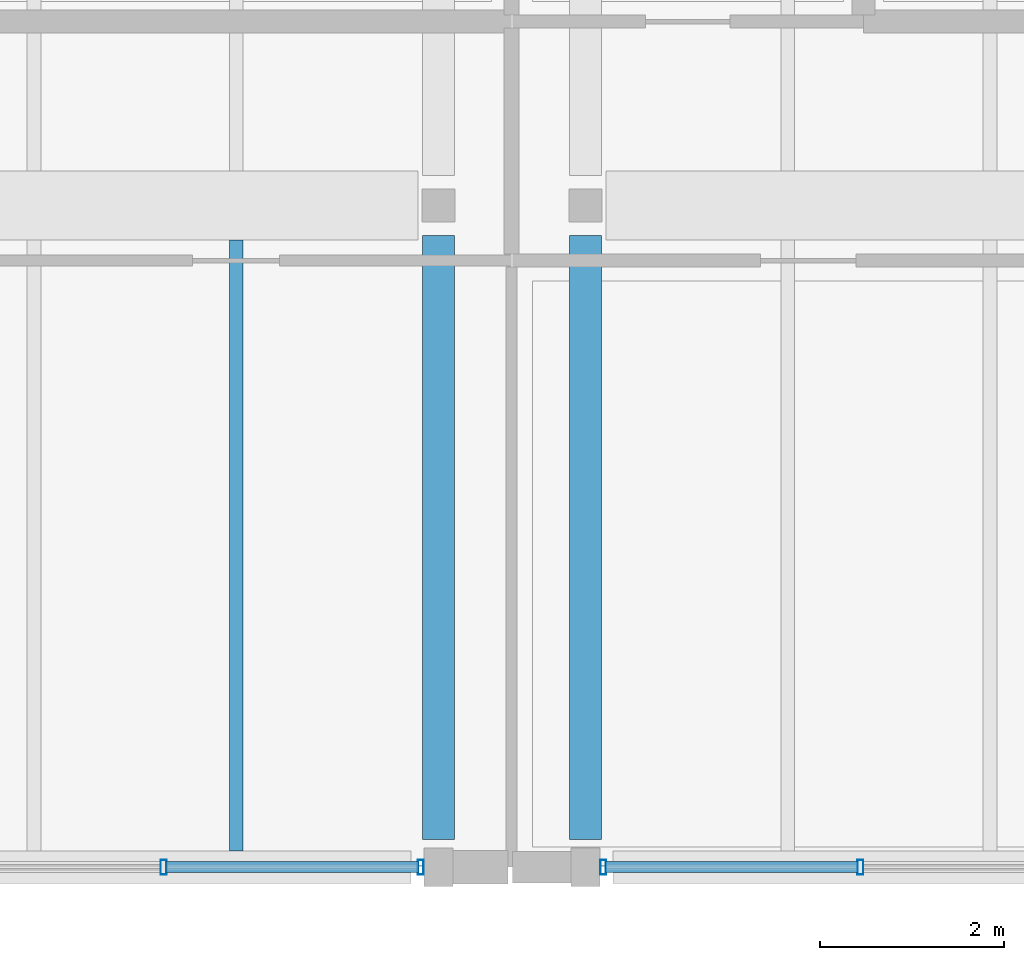
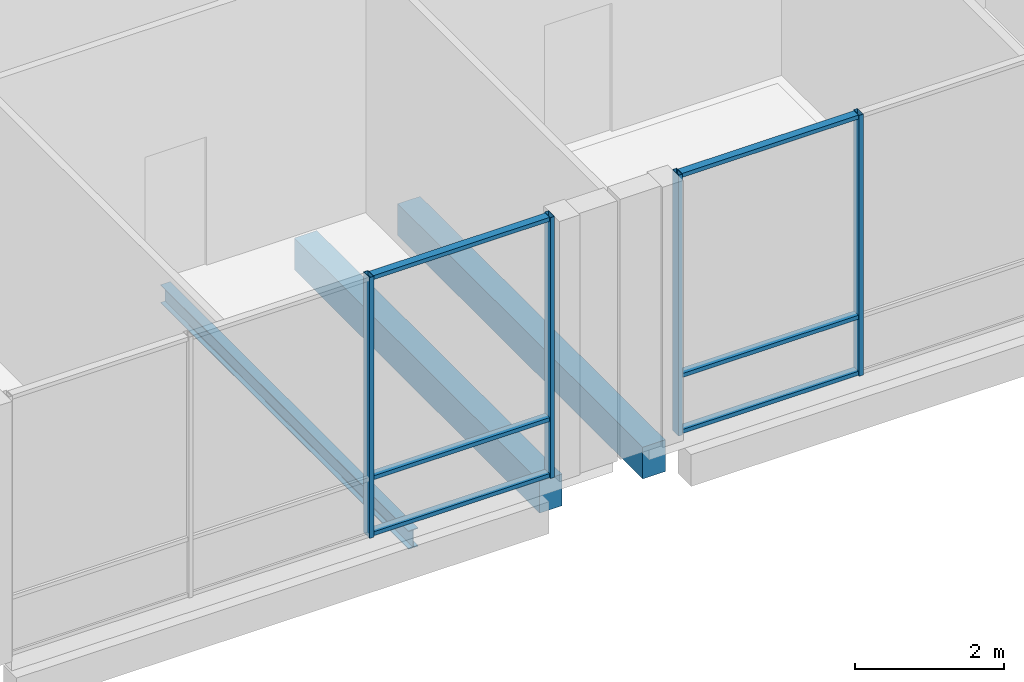
# One storey, part 56 of 146: 10 members, 3 beams, 2 elements without a shape of their own.
"""IFC4 building model written with IfcOpenShell, lengths in metres."""

from ifc_helpers import new_model, si_unit, direction, frame, origin, origin_2d, place, context, subcontext, project, spatial, rectangle, hollow_rectangle, i_section, extrude, material, material_profile, profile_set, type_object, element, aggregate, save


model = new_model("IFC4")

# Units and contexts
model_context = context("Model", 3, precision=1e-05, world=origin(), true_north=direction((0.0, 1.0)))
body_context = subcontext(model_context, "Body", "Model", "MODEL_VIEW")
ifc_project = project(units=[si_unit("LENGTHUNIT", "METRE"), si_unit("AREAUNIT", "SQUARE_METRE"), si_unit("VOLUMEUNIT", "CUBIC_METRE"), si_unit("PLANEANGLEUNIT", "RADIAN"), si_unit("MASSUNIT", "GRAM", prefix="KILO")], contexts=[model_context])

# Site, building, storey
site_placement = place(None, origin())
site = spatial("IfcSite", under=ifc_project, at=site_placement, CompositionType="ELEMENT")
building_placement = place(site_placement, origin())
building = spatial("IfcBuilding", under=site, at=building_placement, Name="Hawrajan Terrace Health Centre", CompositionType="ELEMENT")
storey_placement = place(building_placement, frame((0.0, 0.0, 4.5)))
storey = spatial("IfcBuildingStorey", under=building, at=storey_placement, Name="L01", CompositionType="ELEMENT", Elevation=4.5)

# Curtain wall, members
ifc_material_1 = material(Name="Anodized bronze aluminium and low-E solar glazing", Category="aluminium")
curtain_wall_type_1 = type_object("IfcCurtainWallType", Name="CW_CourtNS_SeriesC3", PredefinedType="USERDEFINED", material=ifc_material_1)
curtain_wall_1_placement = place(storey_placement, origin())
curtain_wall_1 = element("IfcCurtainWall", 1, at=curtain_wall_1_placement, inside=storey, type_object=curtain_wall_type_1, Name="Curtain wall CW-L01-081", ObjectType="UNITISED CURTAIN WALL", PredefinedType="USERDEFINED")
ifc_material_2 = material(Name="Anodized bronze aluminium 6063-T6", Category="aluminium")
ifc_material_profile_1 = material_profile(ifc_material_2, hollow_rectangle(XDim=0.06494140625, YDim=0.159912109375, WallThickness=0.00390625, at=origin_2d()), Name="CW MUL 65x160")
ifc_profile_set_1 = profile_set([ifc_material_profile_1], Name="Anodized bronze aluminium 6063-T6")
member_type_1 = type_object("IfcMemberType", Name="CWMullion_65x160", PredefinedType="MULLION", material=ifc_profile_set_1)
member_1_placement = place(storey_placement, frame((68.00927734375, 4.199951171875, -0.0048828125), z_axis=(0.0, 0.0, 1.0), x_axis=(1.0, 0.0, 0.0)))
member_1 = element("IfcMember", 2, at=member_1_placement, type_object=member_type_1, Name="Mullion CW-L01-081-M3", PredefinedType="MULLION", context=body_context, shape_type="SweptSolid", body=[
    extrude(hollow_rectangle(XDim=0.06494140625, YDim=0.159912109375, WallThickness=0.00390625, at=origin_2d()), origin(), (0.0, 0.0, 1.0), 4.269775390625),
])
member_2_placement = place(storey_placement, frame((70.8076171875, 4.199951171875, -0.0048828125), z_axis=(0.0, 0.0, 1.0), x_axis=(1.0, 0.0, 0.0)))
member_2 = element("IfcMember", 3, at=member_2_placement, type_object=member_type_1, Name="Mullion CW-L01-081-M4", PredefinedType="MULLION", context=body_context, shape_type="SweptSolid", body=[
    extrude(hollow_rectangle(XDim=0.06494140625, YDim=0.159912109375, WallThickness=0.00390625, at=origin_2d()), origin(), (0.0, 0.0, 1.0), 4.269775390625),
])

curtain_wall_type_2 = type_object("IfcCurtainWallType", Name="CW_Garden_SeriesF2", PredefinedType="USERDEFINED", material=ifc_material_1)
curtain_wall_2_placement = place(storey_placement, origin())
curtain_wall_2 = element("IfcCurtainWall", 4, at=curtain_wall_2_placement, inside=storey, type_object=curtain_wall_type_2, Name="Curtain wall CW-L01-087", ObjectType="UNITISED CURTAIN WALL", PredefinedType="USERDEFINED")
member_3_placement = place(storey_placement, frame((72.79248046875, 4.199951171875, -0.0048828125), z_axis=(0.0, 0.0, 1.0), x_axis=(1.0, 0.0, 0.0)))
member_3 = element("IfcMember", 5, at=member_3_placement, type_object=member_type_1, Name="Mullion CW-L01-087-M1", PredefinedType="MULLION", context=body_context, shape_type="SweptSolid", body=[
    extrude(hollow_rectangle(XDim=0.06494140625, YDim=0.159912109375, WallThickness=0.00390625, at=origin_2d()), origin(), (0.0, 0.0, 1.0), 4.269775390625),
])
member_4_placement = place(storey_placement, frame((75.5908203125, 4.199951171875, -0.0048828125), z_axis=(0.0, 0.0, 1.0), x_axis=(1.0, 0.0, 0.0)))
member_4 = element("IfcMember", 6, at=member_4_placement, type_object=member_type_1, Name="Mullion CW-L01-087-M2", PredefinedType="MULLION", context=body_context, shape_type="SweptSolid", body=[
    extrude(hollow_rectangle(XDim=0.06494140625, YDim=0.159912109375, WallThickness=0.00390625, at=origin_2d()), origin(), (0.0, 0.0, 1.0), 4.269775390625),
])

# Member
ifc_material_profile_2 = material_profile(ifc_material_2, hollow_rectangle(XDim=0.06494140625, YDim=0.1201171875, WallThickness=0.00341796875, at=origin_2d()), Name="CW TRN 65x120")
ifc_profile_set_2 = profile_set([ifc_material_profile_2], Name="Anodized bronze aluminium 6063-T6")
member_type_2 = type_object("IfcMemberType", Name="CWTransom_65x120", PredefinedType="USERDEFINED", material=ifc_profile_set_2)
member_5_placement = place(storey_placement, frame((68.03564453125, 4.199951171875, 0.032470703125), z_axis=(1.0, 0.0, 0.0), x_axis=(0.0, 0.0, 1.0)))
member_5 = element("IfcMember", 7, at=member_5_placement, type_object=member_type_2, Name="Transom CW-L01-081-T3-1", ObjectType="TRANSOM", PredefinedType="USERDEFINED", context=body_context, shape_type="SweptSolid", body=[
    extrude(hollow_rectangle(XDim=0.06494140625, YDim=0.1201171875, WallThickness=0.00341796875, at=origin_2d()), origin(), (0.0, 0.0, 1.0), 2.745361328125),
])

member_6_placement = place(storey_placement, frame((68.03564453125, 4.199951171875, 0.949951171875), z_axis=(1.0, 0.0, 0.0), x_axis=(0.0, 0.0, 1.0)))
member_6 = element("IfcMember", 8, at=member_6_placement, type_object=member_type_2, Name="Transom CW-L01-081-T3-2", ObjectType="TRANSOM", PredefinedType="USERDEFINED", context=body_context, shape_type="SweptSolid", body=[
    extrude(hollow_rectangle(XDim=0.06494140625, YDim=0.1201171875, WallThickness=0.00341796875, at=origin_2d()), origin(), (0.0, 0.0, 1.0), 2.745361328125),
])

member_7_placement = place(storey_placement, frame((68.03564453125, 4.199951171875, 4.2275390625), z_axis=(1.0, 0.0, 0.0), x_axis=(0.0, 0.0, 1.0)))
member_7 = element("IfcMember", 9, at=member_7_placement, type_object=member_type_2, Name="Transom CW-L01-081-T3-3", ObjectType="TRANSOM", PredefinedType="USERDEFINED", context=body_context, shape_type="SweptSolid", body=[
    extrude(hollow_rectangle(XDim=0.06494140625, YDim=0.1201171875, WallThickness=0.00341796875, at=origin_2d()), origin(), (0.0, 0.0, 1.0), 2.745361328125),
])

aggregate(curtain_wall_1, [member_1, member_2, member_5, member_6, member_7])

member_8_placement = place(storey_placement, frame((72.819091796875, 4.199951171875, 0.032470703125), z_axis=(1.0, 0.0, 0.0), x_axis=(0.0, 0.0, 1.0)))
member_8 = element("IfcMember", 10, at=member_8_placement, type_object=member_type_2, Name="Transom CW-L01-087-T1-1", ObjectType="TRANSOM", PredefinedType="USERDEFINED", context=body_context, shape_type="SweptSolid", body=[
    extrude(hollow_rectangle(XDim=0.06494140625, YDim=0.1201171875, WallThickness=0.00341796875, at=origin_2d()), origin(), (0.0, 0.0, 1.0), 2.7451171875),
])

member_9_placement = place(storey_placement, frame((72.819091796875, 4.199951171875, 0.949951171875), z_axis=(1.0, 0.0, 0.0), x_axis=(0.0, 0.0, 1.0)))
member_9 = element("IfcMember", 11, at=member_9_placement, type_object=member_type_2, Name="Transom CW-L01-087-T1-2", ObjectType="TRANSOM", PredefinedType="USERDEFINED", context=body_context, shape_type="SweptSolid", body=[
    extrude(hollow_rectangle(XDim=0.06494140625, YDim=0.1201171875, WallThickness=0.00341796875, at=origin_2d()), origin(), (0.0, 0.0, 1.0), 2.7451171875),
])

member_10_placement = place(storey_placement, frame((72.819091796875, 4.199951171875, 4.2275390625), z_axis=(1.0, 0.0, 0.0), x_axis=(0.0, 0.0, 1.0)))
member_10 = element("IfcMember", 12, at=member_10_placement, type_object=member_type_2, Name="Transom CW-L01-087-T1-3", ObjectType="TRANSOM", PredefinedType="USERDEFINED", context=body_context, shape_type="SweptSolid", body=[
    extrude(hollow_rectangle(XDim=0.06494140625, YDim=0.1201171875, WallThickness=0.00341796875, at=origin_2d()), origin(), (0.0, 0.0, 1.0), 2.7451171875),
])

aggregate(curtain_wall_2, [member_3, member_4, member_8, member_9, member_10])

# Beams
ifc_material_3 = material(Name="Concrete C40/50", Category="concrete")
ifc_material_profile_3 = material_profile(ifc_material_3, rectangle(XDim=0.35009765625, YDim=0.52001953125, at=origin_2d()), Name="RC SP 350x520")
ifc_profile_set_3 = profile_set([ifc_material_profile_3], Name="Concrete C40/50")
beam_type_1 = type_object("IfcBeamType", Name="RCSpandrel_350x520", PredefinedType="SPANDREL", material=ifc_profile_set_3)
for number, where, z_axis, x_axis, name in (
    (13, (71.0, 4.5, -0.56005859375), (0.0, 1.0, 0.0), (-1.0, 0.0, 0.0), "Beam BM-Y-L01-W-X10-1"),
    (14, (72.60009765625, 4.5, -0.56005859375), (0.0, 1.0, 0.0), (-1.0, 0.0, 0.0), "Beam BM-Y-L01-C-X10-1"),
):
    element("IfcBeam", number, at=place(storey_placement, frame(where, z_axis=z_axis, x_axis=x_axis)), inside=storey, type_object=beam_type_1, Name=name, PredefinedType="SPANDREL", context=body_context, shape_type="SweptSolid", body=[
        extrude(rectangle(XDim=0.35009765625, YDim=0.52001953125, at=origin_2d()), origin(), (0.0, 0.0, 1.0), 6.574951171875),
    ])
ifc_material_4 = material(Name="Steel S355", Category="steel")
ifc_material_profile_4 = material_profile(ifc_material_4, i_section(OverallWidth=0.14990234375, OverallDepth=0.300048828125, WebThickness=0.007080078125, FlangeThickness=0.0107421875, FilletRadius=0.014892578125, at=origin_2d()), Name="IPE 300")
ifc_profile_set_4 = profile_set([ifc_material_profile_4], Name="Steel S355")
beam_type_2 = type_object("IfcBeamType", Name="SteelBeam_IPE300", PredefinedType="JOIST", material=ifc_profile_set_4)
beam_placement = place(storey_placement, frame((68.800048828125, 4.375, -0.449951171875), z_axis=(0.0, 1.0, 0.0), x_axis=(-1.0, 0.0, 0.0)))
element("IfcBeam", 15, at=beam_placement, inside=storey, type_object=beam_type_2, Name="Secondary joist JST-L01-W-09-1-3", PredefinedType="JOIST", context=body_context, shape_type="SweptSolid", body=[
    extrude(i_section(OverallWidth=0.14990234375, OverallDepth=0.300048828125, WebThickness=0.007080078125, FlangeThickness=0.0107421875, FilletRadius=0.014892578125, at=origin_2d()), origin(), (0.0, 0.0, 1.0), 6.64990234375),
])

save(model, "model.ifc")
